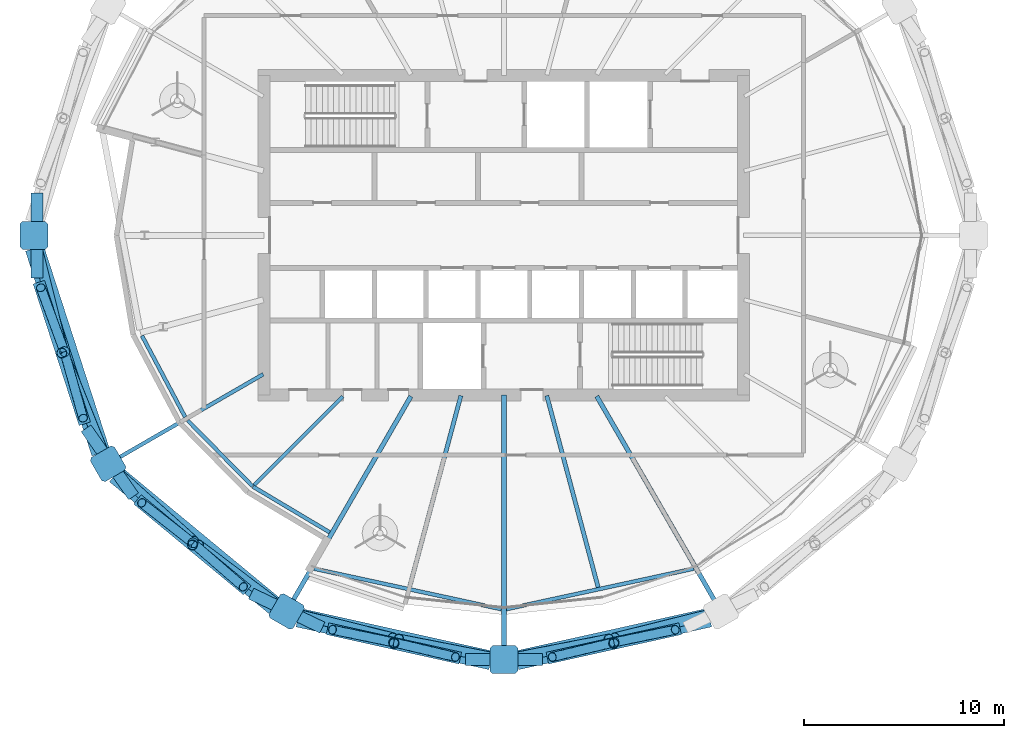
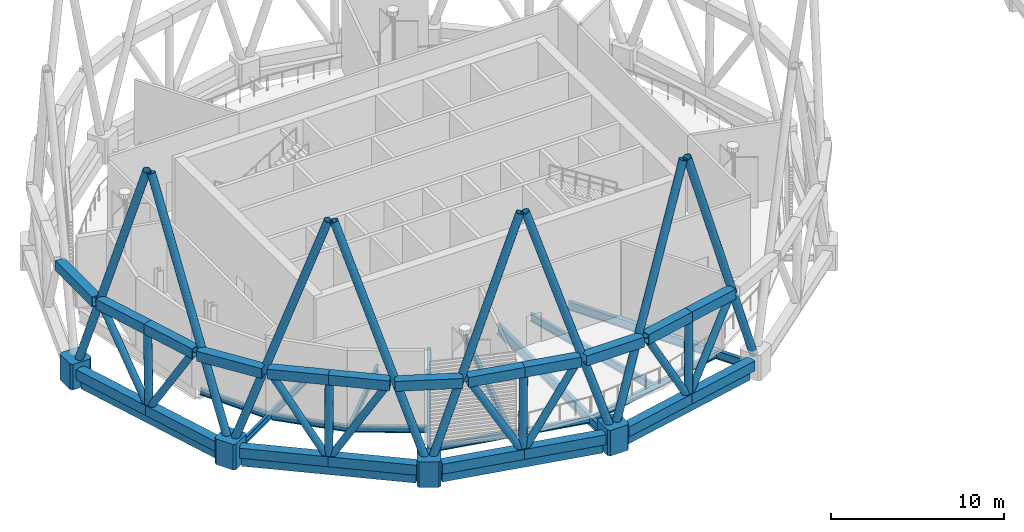
# One storey, part 3 of 22: 44 members, 16 beams.
"""IFC4 building model written with IfcOpenShell, lengths in metres."""

from ifc_helpers import new_model, si_unit, direction, frame, origin, origin_2d, place, context, subcontext, project, spatial, polyline, hollow_rectangle, hollow_circle, i_section, outline, extrude, material, material_profile, profile_set, type_object, element, save


model = new_model("IFC4")

# Units and contexts
model_context = context("Model", 3, precision=1e-05, world=origin(), true_north=direction((0.0, 1.0)))
body_context = subcontext(model_context, "Body", "Model", "MODEL_VIEW")
ifc_project = project(units=[si_unit("LENGTHUNIT", "METRE"), si_unit("AREAUNIT", "SQUARE_METRE"), si_unit("VOLUMEUNIT", "CUBIC_METRE"), si_unit("PLANEANGLEUNIT", "RADIAN"), si_unit("MASSUNIT", "GRAM", prefix="KILO")], contexts=[model_context])

# Site, building, storey
site_placement = place(None, origin())
site = spatial("IfcSite", under=ifc_project, at=site_placement, CompositionType="ELEMENT")
building_placement = place(site_placement, origin())
building = spatial("IfcBuilding", under=site, at=building_placement, Name="Rimbun Link Towers", CompositionType="ELEMENT")
storey_placement = place(building_placement, frame((0.0, 0.0, 204.5)))
storey = spatial("IfcBuildingStorey", under=building, at=storey_placement, Name="L50", CompositionType="ELEMENT", Elevation=204.5)

# Members
ifc_material_1 = material(Name="Steel S460N", Category="steel")
ifc_material_profile_1 = material_profile(ifc_material_1, hollow_rectangle(XDim=0.60009765625, YDim=0.699951171875, WallThickness=0.034912109375, at=origin_2d()), Name="Belt truss chord BOX 600x700x35")
ifc_profile_set_1 = profile_set([ifc_material_profile_1], Name="Steel S460N")
member_type_1 = type_object("IfcMemberType", Name="Belt truss chord BOX 600x700x35", PredefinedType="CHORD", material=ifc_profile_set_1)
member_1_placement = place(storey_placement, frame((-55.111083984375, 2.129638671875, 6.0), z_axis=(0.0, -1.0, 0.0), x_axis=(1.0, 0.0, 0.0)))
element("IfcMember", 1, at=member_1_placement, inside=storey, type_object=member_type_1, Name="Belt truss chord T1 L50 top 06", PredefinedType="CHORD", context=body_context, shape_type="SweptSolid", body=[
    extrude(hollow_rectangle(XDim=0.60009765625, YDim=0.699951171875, WallThickness=0.034912109375, at=origin_2d()), origin(), (0.0, 0.0, 1.0), 4.25927734375),
])
member_2_placement = place(storey_placement, frame((-52.66455078125, -9.66259765625, 6.0), z_axis=(0.572589892048, -0.819841945453, 0.0), x_axis=(0.819841945453, 0.572589892048, 0.0)))
element("IfcMember", 2, at=member_2_placement, inside=storey, type_object=member_type_1, Name="Belt truss chord T1 L50 top 07", PredefinedType="CHORD", context=body_context, shape_type="SweptSolid", body=[
    extrude(hollow_rectangle(XDim=0.60009765625, YDim=0.699951171875, WallThickness=0.034912109375, at=origin_2d()), origin(), (0.0, 0.0, 1.0), 4.152099609375),
])
member_3_placement = place(storey_placement, frame((-44.397705078125, -17.935791015625, 6.0), z_axis=(0.902203286827, -0.431311058564, 0.0), x_axis=(0.431311058564, 0.902203286827, 0.0)))
element("IfcMember", 3, at=member_3_placement, inside=storey, type_object=member_type_1, Name="Belt truss chord T1 L50 top 08", PredefinedType="CHORD", context=body_context, shape_type="SweptSolid", body=[
    extrude(hollow_rectangle(XDim=0.60009765625, YDim=0.699951171875, WallThickness=0.034912109375, at=origin_2d()), origin(), (0.0, 0.0, 1.0), 3.947509765625),
])
member_4_placement = place(storey_placement, frame((-33.67333984375, -21.22802734375, 6.0), z_axis=(1.0, 0.0, 0.0), x_axis=(0.0, 1.0, 0.0)))
element("IfcMember", 4, at=member_4_placement, inside=storey, type_object=member_type_1, Name="Belt truss chord T1 L50 top 09", PredefinedType="CHORD", context=body_context, shape_type="SweptSolid", body=[
    extrude(hollow_rectangle(XDim=0.60009765625, YDim=0.699951171875, WallThickness=0.034912109375, at=origin_2d()), origin(), (0.0, 0.0, 1.0), 3.8466796875),
])
for number, where, z_axis, x_axis, name in (
    (5, (-55.411865234375, -0.702392578125, 0.18994140625), (0.30856343283, -0.951203767823, 0.0), (0.951203767823, 0.30856343283, 0.0), "Belt truss chord T1 L50 bottom 12"),
    (6, (-53.74951171875, -5.826904296875, 0.18994140625), (0.308604434273, -0.951190466283, 0.0), (0.951190466283, 0.308604434273, 0.0), "Belt truss chord T1 L50 bottom 13"),
):
    element("IfcMember", number, at=place(storey_placement, frame(where, z_axis=z_axis, x_axis=x_axis)), inside=storey, type_object=member_type_1, Name=name, PredefinedType="CHORD", context=body_context, shape_type="SweptSolid", body=[
        extrude(hollow_rectangle(XDim=0.60009765625, YDim=0.699951171875, WallThickness=0.034912109375, at=origin_2d()), origin(), (0.0, 0.0, 1.0), 5.387451171875),
    ])
member_5_placement = place(storey_placement, frame((-55.028564453125, -2.345947265625, 6.0), z_axis=(0.30857357465, -0.951200477832, 0.0), x_axis=(0.951200477832, 0.30857357465, 0.0)))
element("IfcMember", 7, at=member_5_placement, inside=storey, type_object=member_type_1, Name="Belt truss chord T1 L50 top 24", PredefinedType="CHORD", context=body_context, shape_type="SweptSolid", body=[
    extrude(hollow_rectangle(XDim=0.60009765625, YDim=0.699951171875, WallThickness=0.034912109375, at=origin_2d()), origin(), (0.0, 0.0, 1.0), 3.727294921875),
])
member_6_placement = place(storey_placement, frame((-53.87841796875, -5.891357421875, 6.0), z_axis=(0.308583287774, -0.951197326798, 0.0), x_axis=(0.951197326798, 0.308583287774, 0.0)))
element("IfcMember", 8, at=member_6_placement, inside=storey, type_object=member_type_1, Name="Belt truss chord T1 L50 top 25", PredefinedType="CHORD", context=body_context, shape_type="SweptSolid", body=[
    extrude(hollow_rectangle(XDim=0.60009765625, YDim=0.699951171875, WallThickness=0.034912109375, at=origin_2d()), origin(), (0.0, 0.0, 1.0), 3.722412109375),
])
for number, where, z_axis, x_axis, name in (
    (9, (-51.302490234375, -12.10595703125, 0.18994140625), (0.770640371159, -0.637270286723, 0.0), (0.637270286723, 0.770640371159, 0.0), "Belt truss chord T1 L50 bottom 14"),
    (10, (-47.314453125, -15.40380859375, 0.18994140625), (0.770640371159, -0.637270286723, 0.0), (0.637270286723, 0.770640371159, 0.0), "Belt truss chord T1 L50 bottom 15"),
):
    element("IfcMember", number, at=place(storey_placement, frame(where, z_axis=z_axis, x_axis=x_axis)), inside=storey, type_object=member_type_1, Name=name, PredefinedType="CHORD", context=body_context, shape_type="SweptSolid", body=[
        extrude(hollow_rectangle(XDim=0.60009765625, YDim=0.699951171875, WallThickness=0.034912109375, at=origin_2d()), origin(), (0.0, 0.0, 1.0), 5.175048828125),
    ])
member_7_placement = place(storey_placement, frame((-50.09033203125, -13.220458984375, 6.0), z_axis=(0.77064075529, -0.6372698222, 0.0), x_axis=(0.6372698222, 0.77064075529, 0.0)))
element("IfcMember", 11, at=member_7_placement, inside=storey, type_object=member_type_1, Name="Belt truss chord T1 L50 top 26", PredefinedType="CHORD", context=body_context, shape_type="SweptSolid", body=[
    extrude(hollow_rectangle(XDim=0.60009765625, YDim=0.699951171875, WallThickness=0.034912109375, at=origin_2d()), origin(), (0.0, 0.0, 1.0), 3.5732421875),
])
member_8_placement = place(storey_placement, frame((-47.336669921875, -15.49755859375, 6.0), z_axis=(0.770625211555, -0.637288618536, 0.0), x_axis=(0.637288618536, 0.770625211555, 0.0)))
element("IfcMember", 12, at=member_8_placement, inside=storey, type_object=member_type_1, Name="Belt truss chord T1 L50 top 27", PredefinedType="CHORD", context=body_context, shape_type="SweptSolid", body=[
    extrude(hollow_rectangle(XDim=0.60009765625, YDim=0.699951171875, WallThickness=0.034912109375, at=origin_2d()), origin(), (0.0, 0.0, 1.0), 3.563232421875),
])
for number, where, z_axis, x_axis, name in (
    (13, (-42.08740234375, -19.307373046875, 0.18994140625), (0.976254416691, -0.216627131013, 0.0), (0.216627131013, 0.976254416691, 0.0), "Belt truss chord T1 L50 bottom 16"),
    (14, (-37.26171875, -20.378173828125, 0.18994140625), (0.976254416691, -0.216627131013, 0.0), (0.216627131013, 0.976254416691, 0.0), "Belt truss chord T1 L50 bottom 17"),
):
    element("IfcMember", number, at=place(storey_placement, frame(where, z_axis=z_axis, x_axis=x_axis)), inside=storey, type_object=member_type_1, Name=name, PredefinedType="CHORD", context=body_context, shape_type="SweptSolid", body=[
        extrude(hollow_rectangle(XDim=0.60009765625, YDim=0.699951171875, WallThickness=0.034912109375, at=origin_2d()), origin(), (0.0, 0.0, 1.0), 4.943115234375),
    ])
member_9_placement = place(storey_placement, frame((-40.57763671875, -19.691650390625, 6.0), z_axis=(0.976261205959, -0.21659653215, 0.0), x_axis=(0.21659653215, 0.976261205959, 0.0)))
element("IfcMember", 15, at=member_9_placement, inside=storey, type_object=member_type_1, Name="Belt truss chord T1 L50 top 28", PredefinedType="CHORD", context=body_context, shape_type="SweptSolid", body=[
    extrude(hollow_rectangle(XDim=0.60009765625, YDim=0.699951171875, WallThickness=0.034912109375, at=origin_2d()), origin(), (0.0, 0.0, 1.0), 3.40625),
])
member_10_placement = place(storey_placement, frame((-37.252197265625, -20.429443359375, 6.0), z_axis=(0.976251200062, -0.216641626602, 0.0), x_axis=(0.216641626602, 0.976251200062, 0.0)))
element("IfcMember", 16, at=member_10_placement, inside=storey, type_object=member_type_1, Name="Belt truss chord T1 L50 top 29", PredefinedType="CHORD", context=body_context, shape_type="SweptSolid", body=[
    extrude(hollow_rectangle(XDim=0.60009765625, YDim=0.699951171875, WallThickness=0.034912109375, at=origin_2d()), origin(), (0.0, 0.0, 1.0), 3.401123046875),
])
for number, where, z_axis, x_axis, name in (
    (17, (-31.06396484375, -21.448974609375, 0.18994140625), (0.976254416691, 0.216627131013, 0.0), (-0.216627131013, 0.976254416691, 0.0), "Belt truss chord T1 L50 bottom 18"),
    (18, (-26.23828125, -20.378173828125, 0.18994140625), (0.976254416691, 0.216627131013, 0.0), (-0.216627131013, 0.976254416691, 0.0), "Belt truss chord T1 L50 bottom 19"),
):
    element("IfcMember", number, at=place(storey_placement, frame(where, z_axis=z_axis, x_axis=x_axis)), inside=storey, type_object=member_type_1, Name=name, PredefinedType="CHORD", context=body_context, shape_type="SweptSolid", body=[
        extrude(hollow_rectangle(XDim=0.60009765625, YDim=0.699951171875, WallThickness=0.034912109375, at=origin_2d()), origin(), (0.0, 0.0, 1.0), 4.943115234375),
    ])
member_11_placement = place(storey_placement, frame((-29.568115234375, -21.166259765625, 6.0), z_axis=(0.976251200062, 0.216641626602, 0.0), x_axis=(-0.216641626602, 0.976251200062, 0.0)))
element("IfcMember", 19, at=member_11_placement, inside=storey, type_object=member_type_1, Name="Belt truss chord T1 L50 top 30", PredefinedType="CHORD", context=body_context, shape_type="SweptSolid", body=[
    extrude(hollow_rectangle(XDim=0.60009765625, YDim=0.699951171875, WallThickness=0.034912109375, at=origin_2d()), origin(), (0.0, 0.0, 1.0), 3.401123046875),
])
member_12_placement = place(storey_placement, frame((-26.247802734375, -20.429443359375, 6.0), z_axis=(0.976261205959, 0.21659653215, 0.0), x_axis=(-0.21659653215, 0.976261205959, 0.0)))
element("IfcMember", 20, at=member_12_placement, inside=storey, type_object=member_type_1, Name="Belt truss chord T1 L50 top 31", PredefinedType="CHORD", context=body_context, shape_type="SweptSolid", body=[
    extrude(hollow_rectangle(XDim=0.60009765625, YDim=0.699951171875, WallThickness=0.034912109375, at=origin_2d()), origin(), (0.0, 0.0, 1.0), 3.40625),
])
ifc_material_2 = material(Name="Steel S355J2H", Category="steel")
ifc_material_profile_2 = material_profile(ifc_material_2, hollow_circle(Radius=0.228515625, WallThickness=0.01611328125, at=origin_2d()), Name="Belt truss diagonal CHS 457x16")
ifc_profile_set_2 = profile_set([ifc_material_profile_2], Name="Steel S355J2H")
member_type_2 = type_object("IfcMemberType", Name="Belt truss diagonal CHS 457x16", PredefinedType="BRACE", material=ifc_profile_set_2)
member_13_placement = place(storey_placement, frame((-53.813232421875, -5.654052734375, 0.487548828125), z_axis=(-0.182205401006, 0.494040114174, 0.850132670488), x_axis=(-0.938225630774, -0.34602408263, 0.0)))
element("IfcMember", 21, at=member_13_placement, inside=storey, type_object=member_type_2, Name="Belt truss diagonal T1 L50 12", PredefinedType="BRACE", context=body_context, shape_type="SweptSolid", body=[
    extrude(hollow_circle(Radius=0.228515625, WallThickness=0.01611328125, at=origin_2d()), origin(), (0.0, 0.0, 1.0), 6.134033203125),
])
member_14_placement = place(storey_placement, frame((-53.698974609375, -6.005859375, 0.486572265625), z_axis=(0.143980864264, -0.511209391928, 0.84731013704), x_axis=(0.962551144437, 0.271100155558, 0.0)))
element("IfcMember", 22, at=member_14_placement, inside=storey, type_object=member_type_2, Name="Belt truss diagonal T1 L50 13", PredefinedType="BRACE", context=body_context, shape_type="SweptSolid", body=[
    extrude(hollow_circle(Radius=0.228515625, WallThickness=0.01611328125, at=origin_2d()), origin(), (0.0, 0.0, 1.0), 6.156982421875),
])
member_15_placement = place(storey_placement, frame((-47.45458984375, -15.293701171875, 0.4912109375), z_axis=(-0.40040567117, 0.314457462, 0.860692629855), x_axis=(-0.617643022203, -0.786458579407, 0.0)))
element("IfcMember", 23, at=member_15_placement, inside=storey, type_object=member_type_2, Name="Belt truss diagonal T1 L50 14", PredefinedType="BRACE", context=body_context, shape_type="SweptSolid", body=[
    extrude(hollow_circle(Radius=0.228515625, WallThickness=0.01611328125, at=origin_2d()), origin(), (0.0, 0.0, 1.0), 6.05029296875),
])
member_16_placement = place(storey_placement, frame((-47.177490234375, -15.52294921875, 0.4892578125), z_axis=(0.391243727325, -0.340044722254, 0.855159594868), x_axis=(0.655995008443, 0.754765227669, 0.0)))
element("IfcMember", 24, at=member_16_placement, inside=storey, type_object=member_type_2, Name="Belt truss diagonal T1 L50 15", PredefinedType="BRACE", context=body_context, shape_type="SweptSolid", body=[
    extrude(hollow_circle(Radius=0.228515625, WallThickness=0.01611328125, at=origin_2d()), origin(), (0.0, 0.0, 1.0), 6.093994140625),
])
member_17_placement = place(storey_placement, frame((-37.43115234375, -20.343017578125, 0.494140625), z_axis=(-0.484366831539, 0.100104110207, 0.869119059522), x_axis=(-0.202392876636, -0.979304407979, 0.0)))
element("IfcMember", 25, at=member_17_placement, inside=storey, type_object=member_type_2, Name="Belt truss diagonal T1 L50 16", PredefinedType="BRACE", context=body_context, shape_type="SweptSolid", body=[
    extrude(hollow_circle(Radius=0.228515625, WallThickness=0.01611328125, at=origin_2d()), origin(), (0.0, 0.0, 1.0), 5.98486328125),
])
for number, where, z_axis, x_axis, name in (
    (26, (-37.091796875, -20.41845703125, 0.493408203125), (0.485716626789, -0.115137648537, 0.866500248327), (0.230655120675, 0.973035567339, 0.0), "Belt truss diagonal T1 L50 17"),
    (27, (-26.408203125, -20.41845703125, 0.493408203125), (-0.485716626789, -0.115137648537, 0.866500248327), (0.230655120675, -0.973035567339, 0.0), "Belt truss diagonal T1 L50 18"),
):
    element("IfcMember", number, at=place(storey_placement, frame(where, z_axis=z_axis, x_axis=x_axis)), inside=storey, type_object=member_type_2, Name=name, PredefinedType="BRACE", context=body_context, shape_type="SweptSolid", body=[
        extrude(hollow_circle(Radius=0.228515625, WallThickness=0.01611328125, at=origin_2d()), origin(), (0.0, 0.0, 1.0), 6.005126953125),
    ])
member_18_placement = place(storey_placement, frame((-26.06884765625, -20.343017578125, 0.494140625), z_axis=(0.484366831539, 0.100104110207, 0.869119059522), x_axis=(-0.202392876636, 0.979304407979, 0.0)))
element("IfcMember", 28, at=member_18_placement, inside=storey, type_object=member_type_2, Name="Belt truss diagonal T1 L50 19", PredefinedType="BRACE", context=body_context, shape_type="SweptSolid", body=[
    extrude(hollow_circle(Radius=0.228515625, WallThickness=0.01611328125, at=origin_2d()), origin(), (0.0, 0.0, 1.0), 5.98486328125),
])
ifc_material_3 = material(Name="Steel S355J2H", Category="steel")
ifc_material_profile_3 = material_profile(ifc_material_3, hollow_circle(Radius=0.25390625, WallThickness=0.02001953125, at=origin_2d()), Name="Belt truss strut CHS 508x20")
ifc_profile_set_3 = profile_set([ifc_material_profile_3], Name="Steel S355J2H")
member_type_3 = type_object("IfcMemberType", Name="Belt truss strut CHS 508x20", PredefinedType="STRUT", material=ifc_profile_set_3)
member_19_placement = place(storey_placement, frame((-53.74951171875, -5.826904296875, 0.5400390625), z_axis=(-0.025216918949, -0.012608459474, 0.999602487866), x_axis=(0.4472135955, -0.894427191, 0.0)))
element("IfcMember", 29, at=member_19_placement, inside=storey, type_object=member_type_3, Name="Belt truss strut T1 L50 06", PredefinedType="STRUT", context=body_context, shape_type="SweptSolid", body=[
    extrude(hollow_circle(Radius=0.25390625, WallThickness=0.02001953125, at=origin_2d()), origin(), (0.0, 0.0, 1.0), 5.11181640625),
])
member_20_placement = place(storey_placement, frame((-47.314453125, -15.40380859375, 0.5400390625), z_axis=(-0.004347053442, -0.018343610131, 0.999822291757), x_axis=(0.97305036996, -0.230592665798, 0.0)))
element("IfcMember", 30, at=member_20_placement, inside=storey, type_object=member_type_3, Name="Belt truss strut T1 L50 07", PredefinedType="STRUT", context=body_context, shape_type="SweptSolid", body=[
    extrude(hollow_circle(Radius=0.25390625, WallThickness=0.02001953125, at=origin_2d()), origin(), (0.0, 0.0, 1.0), 5.11083984375),
])
for number, where, z_axis, x_axis, name in (
    (31, (-37.26171875, -20.378173828125, 0.5400390625), (0.001863257018, -0.010032922405, 0.999947933015), (0.983188736076, 0.182592193843, 0.0), "Belt truss strut T1 L50 08"),
    (32, (-26.23828125, -20.378173828125, 0.5400390625), (-0.001863257018, -0.010032922405, 0.999947933015), (0.983188736076, -0.182592193843, 0.0), "Belt truss strut T1 L50 09"),
):
    element("IfcMember", number, at=place(storey_placement, frame(where, z_axis=z_axis, x_axis=x_axis)), inside=storey, type_object=member_type_3, Name=name, PredefinedType="STRUT", context=body_context, shape_type="SweptSolid", body=[
        extrude(hollow_circle(Radius=0.25390625, WallThickness=0.02001953125, at=origin_2d()), origin(), (0.0, 0.0, 1.0), 5.110107421875),
    ])
ifc_material_4 = material(Name="Steel S355J2H", Category="steel")
ifc_material_profile_4 = material_profile(ifc_material_4, hollow_circle(Radius=0.25390625, WallThickness=0.02001953125, at=origin_2d()), Name="Diagrid diagonal CHS 508x20")
ifc_profile_set_4 = profile_set([ifc_material_profile_4], Name="Steel S355J2H")
member_type_4 = type_object("IfcMemberType", Name="Diagrid diagonal CHS 508x20", PredefinedType="BRACE", material=ifc_profile_set_4)
member_21_placement = place(storey_placement, frame((-55.231689453125, -0.16015625, 0.471923828125), z_axis=(0.080351011618, -0.32036780129, 0.943879328531), x_axis=(0.969957667809, 0.243273760726, 0.0)))
element("IfcMember", 33, at=member_21_placement, inside=storey, type_object=member_type_4, Name="Diagrid diagonal T1 L50-L54 12b", PredefinedType="BRACE", context=body_context, shape_type="SweptSolid", body=[
    extrude(hollow_circle(Radius=0.25390625, WallThickness=0.02001953125, at=origin_2d()), origin(), (0.0, 0.0, 1.0), 17.4345703125),
])
member_22_placement = place(storey_placement, frame((-51.621826171875, -11.28759765625, 0.472900390625), z_axis=(-0.121200375121, 0.300762204759, 0.94596647153), x_axis=(-0.927521358054, -0.373770157121, 0.0)))
element("IfcMember", 34, at=member_22_placement, inside=storey, type_object=member_type_4, Name="Diagrid diagonal T1 L50-L54 14a", PredefinedType="BRACE", context=body_context, shape_type="SweptSolid", body=[
    extrude(hollow_circle(Radius=0.25390625, WallThickness=0.02001953125, at=origin_2d()), origin(), (0.0, 0.0, 1.0), 17.39404296875),
])
member_23_placement = place(storey_placement, frame((-51.44140625, -11.5458984375, 0.473388671875), z_axis=(0.239655292138, -0.215862520358, 0.946556238823), x_axis=(0.669260599878, 0.743027758197, 0.0)))
element("IfcMember", 35, at=member_23_placement, inside=storey, type_object=member_type_4, Name="Diagrid diagonal T1 L50-L54 14b", PredefinedType="BRACE", context=body_context, shape_type="SweptSolid", body=[
    extrude(hollow_circle(Radius=0.25390625, WallThickness=0.02001953125, at=origin_2d()), origin(), (0.0, 0.0, 1.0), 17.38232421875),
])
member_24_placement = place(storey_placement, frame((-42.74560546875, -18.73681640625, 0.475341796875), z_axis=(-0.247706216349, 0.18708118863, 0.95060099897), x_axis=(-0.602680050735, -0.797982929921, 0.0)))
element("IfcMember", 36, at=member_24_placement, inside=storey, type_object=member_type_4, Name="Diagrid diagonal T1 L50-L54 16a", PredefinedType="BRACE", context=body_context, shape_type="SweptSolid", body=[
    extrude(hollow_circle(Radius=0.25390625, WallThickness=0.02001953125, at=origin_2d()), origin(), (0.0, 0.0, 1.0), 17.30419921875),
])
member_25_placement = place(storey_placement, frame((-42.472412109375, -18.8671875, 0.4755859375), z_axis=(0.298723625398, -0.074098371979, 0.951458683758), x_axis=(0.240753833745, 0.970586210255, 0.0)))
element("IfcMember", 37, at=member_25_placement, inside=storey, type_object=member_type_4, Name="Diagrid diagonal T1 L50-L54 16b", PredefinedType="BRACE", context=body_context, shape_type="SweptSolid", body=[
    extrude(hollow_circle(Radius=0.25390625, WallThickness=0.02001953125, at=origin_2d()), origin(), (0.0, 0.0, 1.0), 17.287841796875),
])
for number, where, z_axis, x_axis, name in (
    (38, (-31.898193359375, -21.213623046875, 0.476806640625), (-0.296335539997, 0.057922701299, 0.953325866852), (-0.191833003498, -0.98142758203, 0.0), "Diagrid diagonal T1 L50-L54 18a"),
    (39, (-31.601806640625, -21.213623046875, 0.476806640625), (0.296335539997, 0.057922701299, 0.953325866852), (-0.191833003498, 0.98142758203, 0.0), "Diagrid diagonal T1 L50-L54 18b"),
):
    element("IfcMember", number, at=place(storey_placement, frame(where, z_axis=z_axis, x_axis=x_axis)), inside=storey, type_object=member_type_4, Name=name, PredefinedType="BRACE", context=body_context, shape_type="SweptSolid", body=[
        extrude(hollow_circle(Radius=0.25390625, WallThickness=0.02001953125, at=origin_2d()), origin(), (0.0, 0.0, 1.0), 17.251708984375),
    ])
member_26_placement = place(storey_placement, frame((-21.027587890625, -18.8671875, 0.4755859375), z_axis=(-0.298723625398, -0.074098371979, 0.951458683758), x_axis=(0.240753833745, -0.970586210255, 0.0)))
element("IfcMember", 40, at=member_26_placement, inside=storey, type_object=member_type_4, Name="Diagrid diagonal T1 L50-L54 20a", PredefinedType="BRACE", context=body_context, shape_type="SweptSolid", body=[
    extrude(hollow_circle(Radius=0.25390625, WallThickness=0.02001953125, at=origin_2d()), origin(), (0.0, 0.0, 1.0), 17.287841796875),
])
ifc_material_5 = material(Name="Cast steel G20Mn5+QT, Rp0.2 300 MPa", Category="steel")
ifc_material_profile_5 = material_profile(ifc_material_5, outline(polyline([(0.699951171875, -0.570068359375), (0.699951171875, 0.570068359375), (0.570068359375, 0.699951171875), (-0.570068359375, 0.699951171875), (-0.699951171875, 0.570068359375), (-0.699951171875, -0.570068359375), (-0.570068359375, -0.699951171875), (0.570068359375, -0.699951171875), (0.699951171875, -0.570068359375)])), Name="NODE 1400x1400")
ifc_profile_set_5 = profile_set([ifc_material_profile_5], Name="Cast steel G20Mn5+QT, Rp0.2 300 MPa")
member_type_5 = type_object("IfcMemberType", Name="Diagrid node cast 1400", PredefinedType="USERDEFINED", material=ifc_profile_set_5)
for number, where, z_axis, x_axis, name in (
    (41, (-55.271728515625, 0.0, -0.89990234375), (0.0, 0.0, 1.0), (-1.0, 0.0, 0.0), "Diagrid node L50 12"),
    (42, (-51.561279296875, -11.43798828125, -0.89990234375), (0.0, 0.0, 1.0), (-0.866025403784, -0.5, 0.0), "Diagrid node L50 14"),
    (43, (-42.62158203125, -18.830322265625, -0.89990234375), (0.0, 0.0, 1.0), (-0.5, -0.866025403784, 0.0), "Diagrid node L50 16"),
    (44, (-31.75, -21.24267578125, -0.89990234375), (0.0, 0.0, 1.0), (0.0, -1.0, 0.0), "Diagrid node L50 18"),
):
    element("IfcMember", number, at=place(storey_placement, frame(where, z_axis=z_axis, x_axis=x_axis)), inside=storey, type_object=member_type_5, Name=name, ObjectType="Diagrid node", PredefinedType="USERDEFINED", context=body_context, shape_type="SweptSolid", body=[
        extrude(outline(polyline([(0.699951171875, -0.570068359375), (0.699951171875, 0.570068359375), (0.570068359375, 0.699951171875), (-0.570068359375, 0.699951171875), (-0.699951171875, 0.570068359375), (-0.699951171875, -0.570068359375), (-0.570068359375, -0.699951171875), (0.570068359375, -0.699951171875), (0.699951171875, -0.570068359375)])), origin(), (0.0, 0.0, 1.0), 1.7998046875),
    ])

# Beams
ifc_material_6 = material(Name="Steel S355J2", Category="steel")
ifc_material_profile_6 = material_profile(ifc_material_6, hollow_rectangle(XDim=0.60009765625, YDim=0.800048828125, WallThickness=0.0400390625, at=origin_2d()), Name="Exoskeleton ring girder BOX 600x800x40")
ifc_profile_set_6 = profile_set([ifc_material_profile_6], Name="Steel S355J2")
beam_type_1 = type_object("IfcBeamType", Name="Exoskeleton ring girder BOX 600x800x40", PredefinedType="BEAM", material=ifc_profile_set_6)
beam_1_placement = place(storey_placement, frame((-55.055908203125, -0.665771484375, -0.56005859375), z_axis=(0.308593479857, -0.951194020266, 0.0), x_axis=(0.951194020266, 0.308593479857, 0.0)))
element("IfcBeam", 45, at=beam_1_placement, inside=storey, type_object=beam_type_1, Name="Exoskeleton ring girder L50 06", PredefinedType="BEAM", context=body_context, shape_type="SweptSolid", body=[
    extrude(hollow_rectangle(XDim=0.60009765625, YDim=0.800048828125, WallThickness=0.0400390625, at=origin_2d()), origin(), (0.0, 0.0, 1.0), 10.625),
])
beam_2_placement = place(storey_placement, frame((-51.021728515625, -11.884033203125, -0.56005859375), z_axis=(0.770638716794, -0.637272287314, 0.0), x_axis=(0.637272287314, 0.770638716794, 0.0)))
element("IfcBeam", 46, at=beam_2_placement, inside=storey, type_object=beam_type_1, Name="Exoskeleton ring girder L50 07", PredefinedType="BEAM", context=body_context, shape_type="SweptSolid", body=[
    extrude(hollow_rectangle(XDim=0.60009765625, YDim=0.800048828125, WallThickness=0.0400390625, at=origin_2d()), origin(), (0.0, 0.0, 1.0), 10.2001953125),
])
for number, where, z_axis, x_axis, name in (
    (47, (-41.938232421875, -18.98193359375, -0.56005859375), (0.976253686386, -0.21663042219, 0.0), (0.21663042219, 0.976253686386, 0.0), "Exoskeleton ring girder L50 08"),
    (48, (-31.066650390625, -21.091064453125, -0.56005859375), (0.976253686386, 0.21663042219, 0.0), (-0.21663042219, 0.976253686386, 0.0), "Exoskeleton ring girder L50 09"),
):
    element("IfcBeam", number, at=place(storey_placement, frame(where, z_axis=z_axis, x_axis=x_axis)), inside=storey, type_object=beam_type_1, Name=name, PredefinedType="BEAM", context=body_context, shape_type="SweptSolid", body=[
        extrude(hollow_rectangle(XDim=0.60009765625, YDim=0.800048828125, WallThickness=0.0400390625, at=origin_2d()), origin(), (0.0, 0.0, 1.0), 9.736083984375),
    ])
ifc_material_7 = material(Name="Steel S355J2", Category="steel")
ifc_material_profile_7 = material_profile(ifc_material_7, i_section(OverallWidth=0.18994140625, OverallDepth=0.453369140625, WebThickness=0.008544921875, FlangeThickness=0.0126953125, at=origin_2d()), Name="UB 457x191x67")
ifc_profile_set_7 = profile_set([ifc_material_profile_7], Name="Steel S355J2")
beam_type_2 = type_object("IfcBeamType", Name="UB 457x191x67", PredefinedType="BEAM", material=ifc_profile_set_7)
beam_3_placement = place(storey_placement, frame((-43.79833984375, -6.9560546875, -0.4267578125), z_axis=(-0.866022744967, -0.500004605178, 0.0), x_axis=(0.500004605178, -0.866022744967, 0.0)))
element("IfcBeam", 49, at=beam_3_placement, inside=storey, type_object=beam_type_2, Name="Radial beam T1 L50 14", PredefinedType="BEAM", context=body_context, shape_type="SweptSolid", body=[
    extrude(i_section(OverallWidth=0.18994140625, OverallDepth=0.453369140625, WebThickness=0.008544921875, FlangeThickness=0.0126953125, at=origin_2d()), origin(), (0.0, 0.0, 1.0), 8.4638671875),
])
beam_4_placement = place(storey_placement, frame((-39.81787109375, -8.06787109375, -0.4267578125), z_axis=(-0.707106781187, -0.707106781187, 0.0), x_axis=(0.707106781187, -0.707106781187, 0.0)))
element("IfcBeam", 50, at=beam_4_placement, inside=storey, type_object=beam_type_2, Name="Radial beam T1 L50 15", PredefinedType="BEAM", context=body_context, shape_type="SweptSolid", body=[
    extrude(i_section(OverallWidth=0.18994140625, OverallDepth=0.453369140625, WebThickness=0.008544921875, FlangeThickness=0.0126953125, at=origin_2d()), origin(), (0.0, 0.0, 1.0), 6.271728515625),
])
beam_5_placement = place(storey_placement, frame((-49.863525390625, -5.02783203125, -0.4267578125), z_axis=(0.468917523019, -0.883241958132, 0.0), x_axis=(0.883241958132, 0.468917523019, 0.0)))
element("IfcBeam", 51, at=beam_5_placement, inside=storey, type_object=beam_type_2, Name="Edge beam T1 L50 13 recess", PredefinedType="BEAM", context=body_context, shape_type="SweptSolid", body=[
    extrude(i_section(OverallWidth=0.18994140625, OverallDepth=0.453369140625, WebThickness=0.008544921875, FlangeThickness=0.0126953125, at=origin_2d()), origin(), (0.0, 0.0, 1.0), 4.606201171875),
])
beam_6_placement = place(storey_placement, frame((-47.570068359375, -9.272216796875, -0.4267578125), z_axis=(0.701745919014, -0.712427305167, 0.0), x_axis=(0.712427305167, 0.701745919014, 0.0)))
element("IfcBeam", 52, at=beam_6_placement, inside=storey, type_object=beam_type_2, Name="Edge beam T1 L50 14 recess", PredefinedType="BEAM", context=body_context, shape_type="SweptSolid", body=[
    extrude(i_section(OverallWidth=0.18994140625, OverallDepth=0.453369140625, WebThickness=0.008544921875, FlangeThickness=0.0126953125, at=origin_2d()), origin(), (0.0, 0.0, 1.0), 4.616943359375),
])
beam_7_placement = place(storey_placement, frame((-44.3095703125, -12.57763671875, -0.4267578125), z_axis=(0.858833830122, -0.512254284743, 0.0), x_axis=(0.512254284743, 0.858833830122, 0.0)))
element("IfcBeam", 53, at=beam_7_placement, inside=storey, type_object=beam_type_2, Name="Edge beam T1 L50 15 recess", PredefinedType="BEAM", context=body_context, shape_type="SweptSolid", body=[
    extrude(i_section(OverallWidth=0.18994140625, OverallDepth=0.453369140625, WebThickness=0.008544921875, FlangeThickness=0.0126953125, at=origin_2d()), origin(), (0.0, 0.0, 1.0), 4.472412109375),
])
for number, where, z_axis, x_axis, name in (
    (54, (-41.251220703125, -16.68603515625, -0.4267578125), (0.977395259768, -0.211420212335, 0.0), (0.211420212335, 0.977395259768, 0.0), "Edge beam T1 L50 16-18"),
    (55, (-31.622314453125, -18.713623046875, -0.4267578125), (0.977395259768, 0.211420212335, 0.0), (-0.211420212335, 0.977395259768, 0.0), "Edge beam T1 L50 18-20"),
):
    element("IfcBeam", number, at=place(storey_placement, frame(where, z_axis=z_axis, x_axis=x_axis)), inside=storey, type_object=beam_type_2, Name=name, PredefinedType="BEAM", context=body_context, shape_type="SweptSolid", body=[
        extrude(i_section(OverallWidth=0.18994140625, OverallDepth=0.453369140625, WebThickness=0.008544921875, FlangeThickness=0.0126953125, at=origin_2d()), origin(), (0.0, 0.0, 1.0), 9.59033203125),
    ])
ifc_material_8 = material(Name="Steel S355J2", Category="steel")
ifc_material_profile_8 = material_profile(ifc_material_8, i_section(OverallWidth=0.209228515625, OverallDepth=0.533203125, WebThickness=0.010009765625, FlangeThickness=0.015625, at=origin_2d()), Name="UB 533x210x92")
ifc_profile_set_8 = profile_set([ifc_material_profile_8], Name="Steel S355J2")
beam_type_3 = type_object("IfcBeamType", Name="UB 533x210x92", PredefinedType="BEAM", material=ifc_profile_set_8)
for number, where, z_axis, x_axis, name in (
    (56, (-33.901123046875, -8.028076171875, -0.466552734375), (-0.258811443187, -0.965927863184, 0.0), (0.965927863184, -0.258811443187, 0.0), "Radial beam T1 L50 17"),
    (57, (-29.598876953125, -8.028076171875, -0.466552734375), (0.258811443187, -0.965927863184, 0.0), (0.965927863184, 0.258811443187, 0.0), "Radial beam T1 L50 19"),
):
    element("IfcBeam", number, at=place(storey_placement, frame(where, z_axis=z_axis, x_axis=x_axis)), inside=storey, type_object=beam_type_3, Name=name, PredefinedType="BEAM", context=body_context, shape_type="SweptSolid", body=[
        extrude(i_section(OverallWidth=0.209228515625, OverallDepth=0.533203125, WebThickness=0.010009765625, FlangeThickness=0.015625, at=origin_2d()), origin(), (0.0, 0.0, 1.0), 9.93212890625),
    ])
ifc_material_9 = material(Name="Steel S355J2", Category="steel")
ifc_material_profile_9 = material_profile(ifc_material_9, i_section(OverallWidth=0.2275390625, OverallDepth=0.6025390625, WebThickness=0.010498046875, FlangeThickness=0.014892578125, at=origin_2d()), Name="UB 610x229x101")
ifc_profile_set_9 = profile_set([ifc_material_profile_9], Name="Steel S355J2")
beam_type_4 = type_object("IfcBeamType", Name="UB 610x229x101", PredefinedType="BEAM", material=ifc_profile_set_9)
for number, where, z_axis, x_axis, name in (
    (58, (-36.402099609375, -8.057861328125, -0.501220703125), (-0.500003314297, -0.866023490266, 0.0), (0.866023490266, -0.500003314297, 0.0), "Radial beam T1 L50 16"),
    (59, (-27.097900390625, -8.057861328125, -0.501220703125), (0.500003314297, -0.866023490266, 0.0), (0.866023490266, 0.500003314297, 0.0), "Radial beam T1 L50 20"),
):
    element("IfcBeam", number, at=place(storey_placement, frame(where, z_axis=z_axis, x_axis=x_axis)), inside=storey, type_object=beam_type_4, Name=name, PredefinedType="BEAM", context=body_context, shape_type="SweptSolid", body=[
        extrude(i_section(OverallWidth=0.2275390625, OverallDepth=0.6025390625, WebThickness=0.010498046875, FlangeThickness=0.014892578125, at=origin_2d()), origin(), (0.0, 0.0, 1.0), 11.93896484375),
    ])
ifc_material_10 = material(Name="Steel S355J2", Category="steel")
ifc_material_profile_10 = material_profile(ifc_material_10, i_section(OverallWidth=0.253662109375, OverallDepth=0.68359375, WebThickness=0.012451171875, FlangeThickness=0.01904296875, at=origin_2d()), Name="UB 686x254x140")
ifc_profile_set_10 = profile_set([ifc_material_profile_10], Name="Steel S355J2")
beam_type_5 = type_object("IfcBeamType", Name="UB 686x254x140", PredefinedType="BEAM", material=ifc_profile_set_10)
beam_8_placement = place(storey_placement, frame((-31.75, -8.0009765625, -0.541748046875), z_axis=(0.0, -1.0, 0.0), x_axis=(1.0, 0.0, 0.0)))
element("IfcBeam", 60, at=beam_8_placement, inside=storey, type_object=beam_type_5, Name="Radial beam T1 L50 18", PredefinedType="BEAM", context=body_context, shape_type="SweptSolid", body=[
    extrude(i_section(OverallWidth=0.253662109375, OverallDepth=0.68359375, WebThickness=0.012451171875, FlangeThickness=0.01904296875, at=origin_2d()), origin(), (0.0, 0.0, 1.0), 12.74169921875),
])

save(model, "model.ifc")
